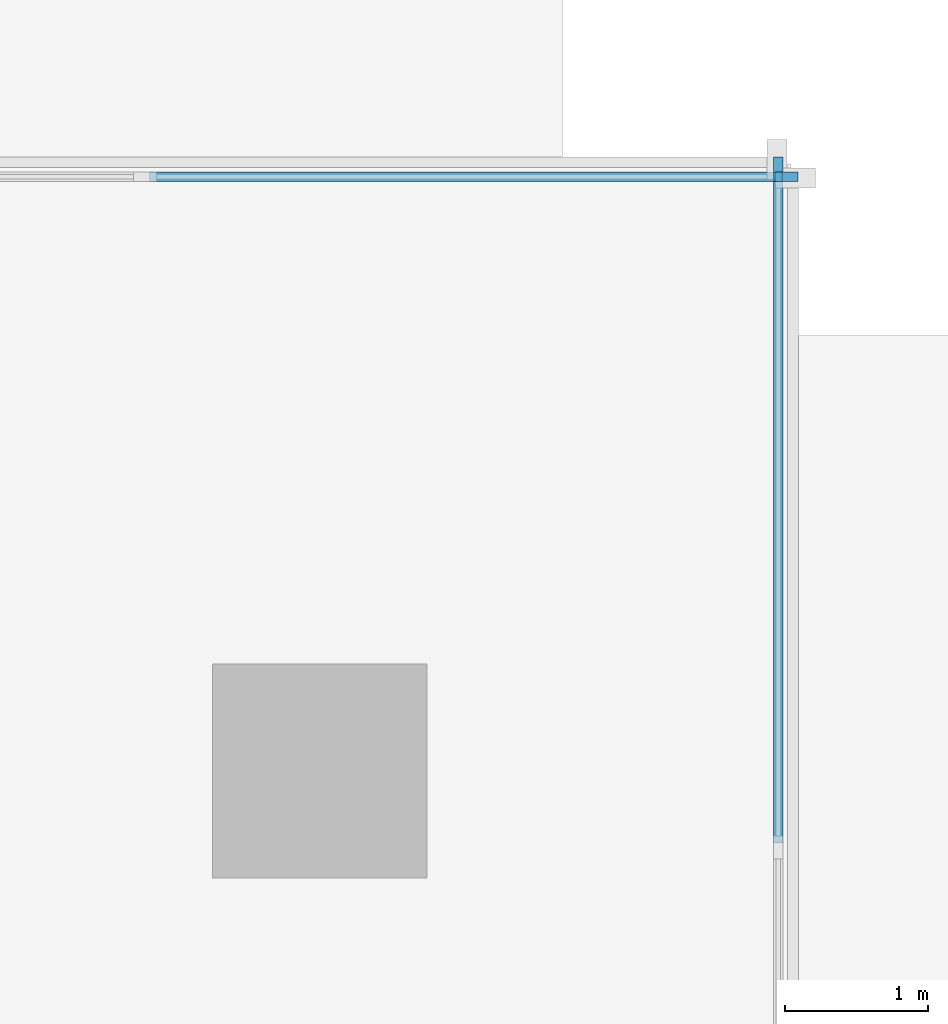
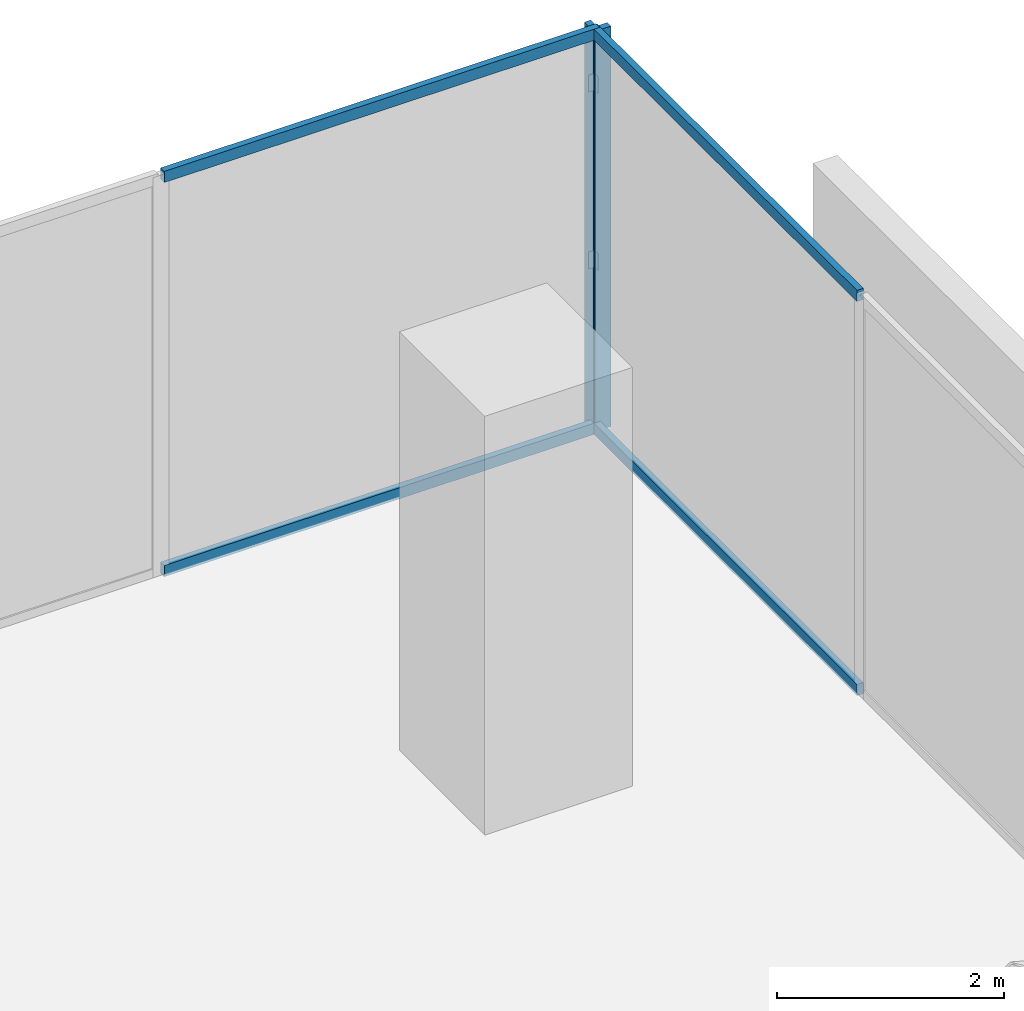
# One storey, part 6 of 13: 6 members, 2 elements without a shape of their own.
"""IFC4 building model written with IfcOpenShell, lengths in metres."""

from ifc_helpers import new_model, si_unit, direction, frame, origin, origin_2d, place, context, subcontext, project, spatial, rectangle, extrude, material, layer, layer_set, material_profile, profile_set, type_object, element, aggregate, save


model = new_model("IFC4")

# Units and contexts
model_context = context("Model", 3, precision=1e-05, world=origin(), true_north=direction((0.0, 1.0)))
body_context = subcontext(model_context, "Body", "Model", "MODEL_VIEW")
ifc_project = project(units=[si_unit("LENGTHUNIT", "METRE"), si_unit("AREAUNIT", "SQUARE_METRE"), si_unit("VOLUMEUNIT", "CUBIC_METRE"), si_unit("PLANEANGLEUNIT", "RADIAN"), si_unit("MASSUNIT", "GRAM", prefix="KILO")], contexts=[model_context])

# Site, building, storey
site_placement = place(None, origin())
site = spatial("IfcSite", under=ifc_project, at=site_placement, CompositionType="ELEMENT")
building_placement = place(site_placement, origin())
building = spatial("IfcBuilding", under=site, at=building_placement, Name="Kinhvarn Gate Tower", CompositionType="ELEMENT")
storey_placement = place(building_placement, frame((0.0, 0.0, 303.050048828125)))
storey = spatial("IfcBuildingStorey", under=building, at=storey_placement, Name="L80", CompositionType="ELEMENT", Elevation=303.050048828125)

# Curtain wall, member
ifc_material = material(Name="Anodised aluminium AW-6063", Category="aluminium")
ifc_layer = layer(ifc_material, 0.199951171875)
ifc_layer_set = layer_set([ifc_layer], Name="Anodised aluminium AW-6063")
curtain_wall_type = type_object("IfcCurtainWallType", Name="CW-SYS-6", PredefinedType="NOTDEFINED", material=ifc_layer_set)
curtain_wall_1_placement = place(storey_placement, origin())
curtain_wall_1 = element("IfcCurtainWall", 1, at=curtain_wall_1_placement, inside=storey, type_object=curtain_wall_type, Name="Curtain Wall CW6 (L80)", PredefinedType="NOTDEFINED")
ifc_material_profile_1 = material_profile(ifc_material, rectangle(XDim=0.06494140625, YDim=0.159912109375, at=origin_2d()), Name="ALU 65x160")
ifc_profile_set_1 = profile_set([ifc_material_profile_1], Name="Anodised aluminium AW-6063")
member_type_1 = type_object("IfcMemberType", Name="CW-MUL-160", PredefinedType="MULLION", material=ifc_profile_set_1)
member_1_placement = place(storey_placement, frame((41.467529296875, 41.909912109375, 0.0), z_axis=(0.0, 0.0, 1.0), x_axis=(0.0, -1.0, 0.0)))
member_1 = element("IfcMember", 2, at=member_1_placement, type_object=member_type_1, Name="CW6 mullion 1", PredefinedType="MULLION", context=body_context, shape_type="SweptSolid", body=[
    extrude(rectangle(XDim=0.06494140625, YDim=0.159912109375, at=origin_2d()), origin(), (0.0, 0.0, 1.0), 4.300048828125),
])

curtain_wall_2_placement = place(storey_placement, origin())
curtain_wall_2 = element("IfcCurtainWall", 3, at=curtain_wall_2_placement, inside=storey, type_object=curtain_wall_type, Name="Curtain Wall CW6 (L80)", PredefinedType="NOTDEFINED")
member_2_placement = place(storey_placement, frame((41.409912109375, 41.967529296875, 0.0), z_axis=(0.0, 0.0, 1.0), x_axis=(-1.0, 0.0, 0.0)))
member_2 = element("IfcMember", 4, at=member_2_placement, type_object=member_type_1, Name="CW6 mullion 3", PredefinedType="MULLION", context=body_context, shape_type="SweptSolid", body=[
    extrude(rectangle(XDim=0.06494140625, YDim=0.159912109375, at=origin_2d()), origin(), (0.0, 0.0, 1.0), 4.300048828125),
])

# Member
ifc_material_profile_2 = material_profile(ifc_material, rectangle(XDim=0.06494140625, YDim=0.1201171875, at=origin_2d()), Name="ALU 65x120")
ifc_profile_set_2 = profile_set([ifc_material_profile_2], Name="Anodised aluminium AW-6063")
member_type_2 = type_object("IfcMemberType", Name="CW-TRN-120", PredefinedType="USERDEFINED", material=ifc_profile_set_2)
member_3_placement = place(storey_placement, frame((41.43505859375, 41.909912109375, 0.032470703125), z_axis=(-1.0, 0.0, 0.0), x_axis=(0.0, -1.0, 0.0)))
member_3 = element("IfcMember", 5, at=member_3_placement, type_object=member_type_2, Name="CW6 transom 1.1", ObjectType="TRANSOM", PredefinedType="USERDEFINED", context=body_context, shape_type="SweptSolid", body=[
    extrude(rectangle(XDim=0.06494140625, YDim=0.1201171875, at=origin_2d()), origin(), (0.0, 0.0, 1.0), 4.42578125),
])

member_4_placement = place(storey_placement, frame((41.43505859375, 41.909912109375, 4.267333984375), z_axis=(-1.0, 0.0, 0.0), x_axis=(0.0, -1.0, 0.0)))
member_4 = element("IfcMember", 6, at=member_4_placement, type_object=member_type_2, Name="CW6 transom 1.2", ObjectType="TRANSOM", PredefinedType="USERDEFINED", context=body_context, shape_type="SweptSolid", body=[
    extrude(rectangle(XDim=0.06494140625, YDim=0.1201171875, at=origin_2d()), origin(), (0.0, 0.0, 1.0), 4.42578125),
])

aggregate(curtain_wall_1, [member_1, member_3, member_4])

member_5_placement = place(storey_placement, frame((41.409912109375, 37.24755859375, 0.032470703125), z_axis=(0.0, 1.0, 0.0), x_axis=(-1.0, 0.0, 0.0)))
member_5 = element("IfcMember", 7, at=member_5_placement, type_object=member_type_2, Name="CW6 transom 2.1", ObjectType="TRANSOM", PredefinedType="USERDEFINED", context=body_context, shape_type="SweptSolid", body=[
    extrude(rectangle(XDim=0.06494140625, YDim=0.1201171875, at=origin_2d()), origin(), (0.0, 0.0, 1.0), 4.6875),
])

member_6_placement = place(storey_placement, frame((41.409912109375, 37.24755859375, 4.267333984375), z_axis=(0.0, 1.0, 0.0), x_axis=(-1.0, 0.0, 0.0)))
member_6 = element("IfcMember", 8, at=member_6_placement, type_object=member_type_2, Name="CW6 transom 2.2", ObjectType="TRANSOM", PredefinedType="USERDEFINED", context=body_context, shape_type="SweptSolid", body=[
    extrude(rectangle(XDim=0.06494140625, YDim=0.1201171875, at=origin_2d()), origin(), (0.0, 0.0, 1.0), 4.6875),
])

aggregate(curtain_wall_2, [member_2, member_5, member_6])

save(model, "model.ifc")
